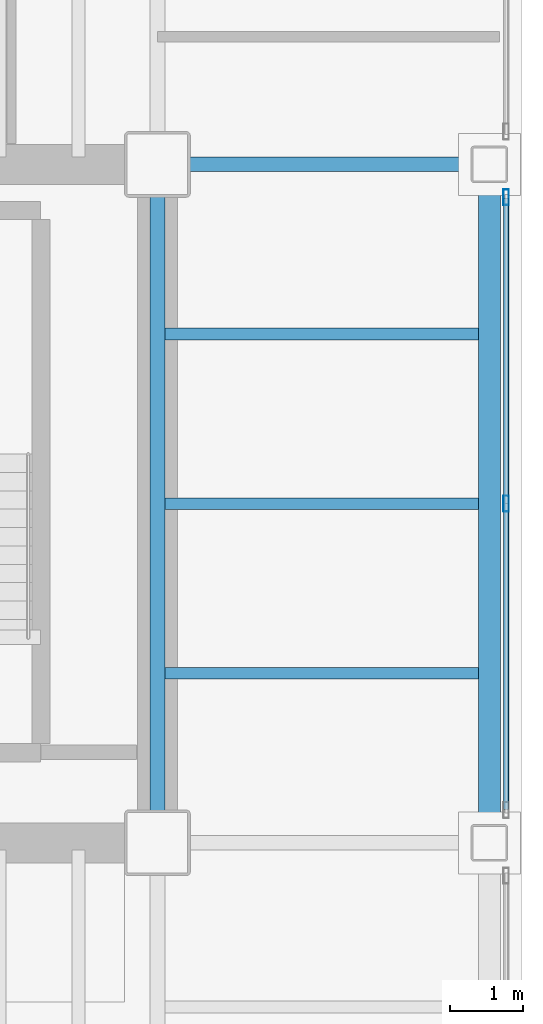
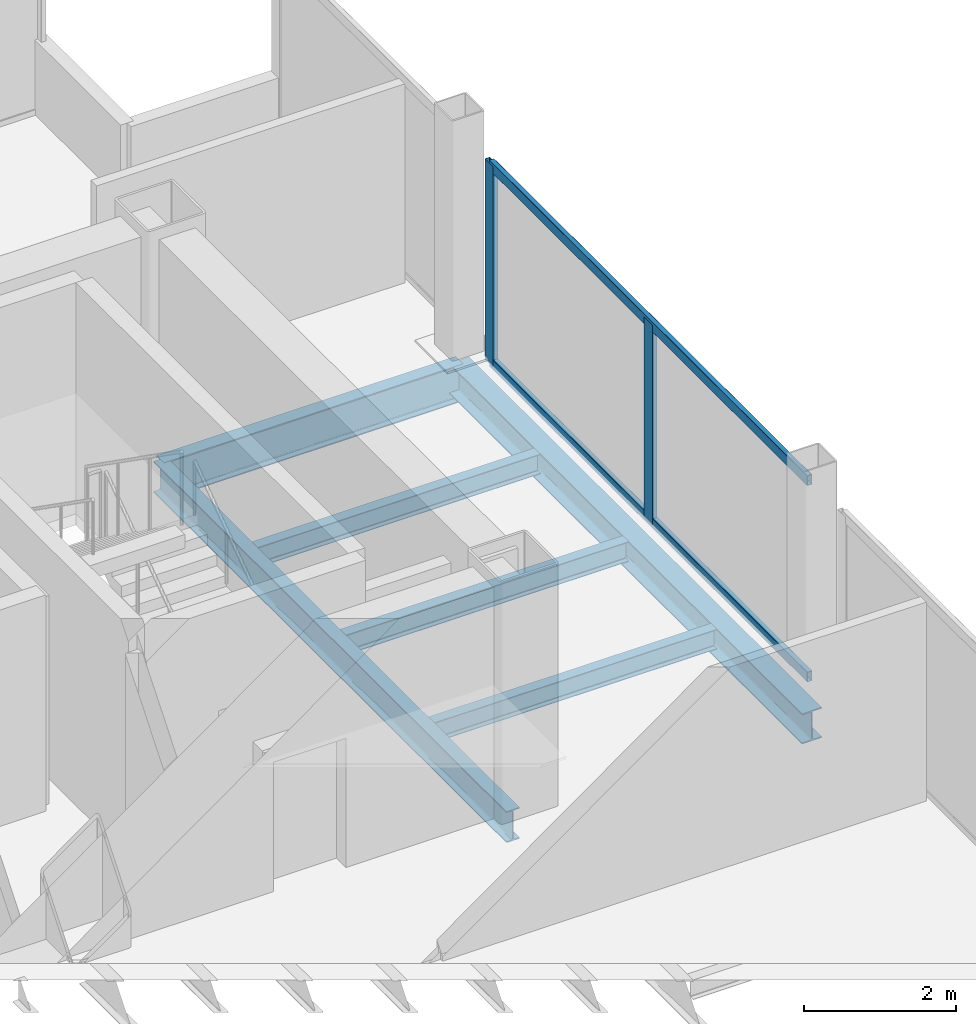
# One storey, part 13 of 19: 6 beams, 4 members, 1 element without a shape of its own.
"""IFC4 building model written with IfcOpenShell, lengths in metres."""

from ifc_helpers import new_model, si_unit, direction, frame, origin, origin_2d, place, context, subcontext, project, spatial, hollow_rectangle, i_section, extrude, material, material_profile, profile_set, type_object, element, aggregate, save


model = new_model("IFC4")

# Units and contexts
model_context = context("Model", 3, precision=1e-05, world=origin(), true_north=direction((0.0, 1.0)))
body_context = subcontext(model_context, "Body", "Model", "MODEL_VIEW")
ifc_project = project(units=[si_unit("LENGTHUNIT", "METRE"), si_unit("AREAUNIT", "SQUARE_METRE"), si_unit("VOLUMEUNIT", "CUBIC_METRE"), si_unit("PLANEANGLEUNIT", "RADIAN"), si_unit("MASSUNIT", "GRAM", prefix="KILO")], contexts=[model_context])

# Site, building, storey
site_placement = place(None, origin())
site = spatial("IfcSite", under=ifc_project, at=site_placement, CompositionType="ELEMENT")
building_placement = place(site_placement, origin())
building = spatial("IfcBuilding", under=site, at=building_placement, Name="Noeulbin Bourse Tower", CompositionType="ELEMENT")
storey_placement = place(building_placement, frame((0.0, 0.0, 157.800048828125)))
storey = spatial("IfcBuildingStorey", under=building, at=storey_placement, Name="L39", CompositionType="ELEMENT", Elevation=157.800048828125)

# Beams
ifc_material_1 = material(Name="Steel S355", Category="steel")
ifc_material_profile_1 = material_profile(ifc_material_1, i_section(OverallWidth=0.199951171875, OverallDepth=0.5, WebThickness=0.010009765625, FlangeThickness=0.01611328125, FilletRadius=0.02001953125, at=origin_2d()), Name="H-500x200x10x16", Category="LoadBearing")
ifc_profile_set_1 = profile_set([ifc_material_profile_1], Name="Steel S355")
beam_type_1 = type_object("IfcBeamType", Name="BM-GRD-500", PredefinedType="USERDEFINED", material=ifc_profile_set_1)
beam_1_placement = place(storey_placement, frame((44.0, 29.0, -0.429931640625), z_axis=(0.0, 1.0, 0.0), x_axis=(-1.0, 0.0, 0.0)))
element("IfcBeam", 1, at=beam_1_placement, inside=storey, type_object=beam_type_1, Name="Tower Primary Girder NS L39-5.3", ObjectType="GIRDER", PredefinedType="USERDEFINED", context=body_context, shape_type="SweptSolid", body=[
    extrude(i_section(OverallWidth=0.199951171875, OverallDepth=0.5, WebThickness=0.010009765625, FlangeThickness=0.01611328125, FilletRadius=0.02001953125, at=origin_2d()), origin(), (0.0, 0.0, 1.0), 9.300048828125),
])
ifc_material_profile_2 = material_profile(ifc_material_1, i_section(OverallWidth=0.199951171875, OverallDepth=0.60009765625, WebThickness=0.010986328125, FlangeThickness=0.01708984375, FilletRadius=0.02197265625, at=origin_2d()), Name="H-600x200x11x17", Category="LoadBearing")
ifc_profile_set_2 = profile_set([ifc_material_profile_2], Name="Steel S355")
beam_type_2 = type_object("IfcBeamType", Name="BM-GRD-600", PredefinedType="USERDEFINED", material=ifc_profile_set_2)
beam_2_placement = place(storey_placement, frame((44.0, 38.300048828125, -0.47998046875), z_axis=(1.0, 0.0, 0.0), x_axis=(0.0, 1.0, 0.0)))
element("IfcBeam", 2, at=beam_2_placement, inside=storey, type_object=beam_type_2, Name="Tower Primary Girder EW L39-3.5", ObjectType="GIRDER", PredefinedType="USERDEFINED", context=body_context, shape_type="SweptSolid", body=[
    extrude(i_section(OverallWidth=0.199951171875, OverallDepth=0.60009765625, WebThickness=0.010986328125, FlangeThickness=0.01708984375, FilletRadius=0.02197265625, at=origin_2d()), origin(), (0.0, 0.0, 1.0), 4.550048828125),
])
ifc_material_profile_3 = material_profile(ifc_material_1, i_section(OverallWidth=0.159912109375, OverallDepth=0.320068359375, WebThickness=0.006591796875, FlangeThickness=0.010009765625, FilletRadius=0.012939453125, at=origin_2d()), Name="H-320x160x6.5x10", Category="LoadBearing")
ifc_profile_set_3 = profile_set([ifc_material_profile_3], Name="Steel S355")
beam_type_3 = type_object("IfcBeamType", Name="BM-JST-320", PredefinedType="JOIST", material=ifc_profile_set_3)
for number, where, z_axis, x_axis, name in (
    (3, (44.10009765625, 31.324951171875, -0.340087890625), (1.0, 0.0, 0.0), (0.0, 1.0, 0.0), "Wing Composite Joist L39-E76"),
    (4, (44.10009765625, 33.64990234375, -0.340087890625), (1.0, 0.0, 0.0), (0.0, 1.0, 0.0), "Wing Composite Joist L39-E77"),
    (5, (44.10009765625, 35.97509765625, -0.340087890625), (1.0, 0.0, 0.0), (0.0, 1.0, 0.0), "Wing Composite Joist L39-E78"),
):
    element("IfcBeam", number, at=place(storey_placement, frame(where, z_axis=z_axis, x_axis=x_axis)), inside=storey, type_object=beam_type_3, Name=name, PredefinedType="JOIST", context=body_context, shape_type="SweptSolid", body=[
        extrude(i_section(OverallWidth=0.159912109375, OverallDepth=0.320068359375, WebThickness=0.006591796875, FlangeThickness=0.010009765625, FilletRadius=0.012939453125, at=origin_2d()), origin(), (0.0, 0.0, 1.0), 4.2998046875),
    ])
ifc_material_profile_4 = material_profile(ifc_material_1, i_section(OverallWidth=0.300048828125, OverallDepth=0.488037109375, WebThickness=0.010986328125, FlangeThickness=0.01806640625, FilletRadius=0.02197265625, at=origin_2d()), Name="H-488x300x11x18", Category="LoadBearing")
ifc_profile_set_4 = profile_set([ifc_material_profile_4], Name="Steel S355")
beam_type_4 = type_object("IfcBeamType", Name="BM-SPN-488", PredefinedType="SPANDREL", material=ifc_profile_set_4)
beam_3_placement = place(storey_placement, frame((48.550048828125, 29.0, -0.424072265625), z_axis=(0.0, 1.0, 0.0), x_axis=(-1.0, 0.0, 0.0)))
element("IfcBeam", 6, at=beam_3_placement, inside=storey, type_object=beam_type_4, Name="East Spandrel L39-2", PredefinedType="SPANDREL", context=body_context, shape_type="SweptSolid", body=[
    extrude(i_section(OverallWidth=0.300048828125, OverallDepth=0.488037109375, WebThickness=0.010986328125, FlangeThickness=0.01806640625, FilletRadius=0.02197265625, at=origin_2d()), origin(), (0.0, 0.0, 1.0), 9.300048828125),
])

# Curtain wall, members
ifc_material_2 = material(Name="Dark Tinted Triple Glazing", Category="glass")
curtain_wall_type = type_object("IfcCurtainWallType", Name="CW-SYS-3", PredefinedType="NOTDEFINED", material=ifc_material_2)
curtain_wall_placement = place(storey_placement, origin())
curtain_wall = element("IfcCurtainWall", 7, at=curtain_wall_placement, inside=storey, type_object=curtain_wall_type, Name="Unitised Curtain Wall CW-L39-E-S2", PredefinedType="NOTDEFINED")
ifc_material_3 = material(Name="Anodised Aluminium 6063-T6", Category="aluminium")
ifc_material_profile_5 = material_profile(ifc_material_3, hollow_rectangle(XDim=0.074951171875, YDim=0.219970703125, WallThickness=0.0048828125, InnerFilletRadius=0.00244140625, OuterFilletRadius=0.0048828125, at=origin_2d()), Name="ALU-MULL-75x220x5", Category="LoadBearing")
ifc_profile_set_5 = profile_set([ifc_material_profile_5], Name="Anodised Aluminium 6063-T6")
member_type_1 = type_object("IfcMemberType", Name="CW-SYS-3-MUL", PredefinedType="MULLION", material=ifc_profile_set_5)
member_1_placement = place(storey_placement, frame((48.780029296875, 33.64990234375, -0.02001953125), z_axis=(0.0, 0.0, 1.0), x_axis=(1.0, 0.0, 0.0)))
member_1 = element("IfcMember", 8, at=member_1_placement, type_object=member_type_1, Name="Curtain Wall Mullion CW-L39-E-S2-M01", PredefinedType="MULLION", context=body_context, shape_type="SweptSolid", body=[
    extrude(hollow_rectangle(XDim=0.074951171875, YDim=0.219970703125, WallThickness=0.0048828125, InnerFilletRadius=0.00244140625, OuterFilletRadius=0.0048828125, at=origin_2d()), origin(), (0.0, 0.0, 1.0), 3.219970703125),
])
member_2_placement = place(storey_placement, frame((48.780029296875, 37.85009765625, -0.02001953125), z_axis=(0.0, 0.0, 1.0), x_axis=(1.0, 0.0, 0.0)))
member_2 = element("IfcMember", 9, at=member_2_placement, type_object=member_type_1, Name="Curtain Wall Mullion CW-L39-E-S2-M02", PredefinedType="MULLION", context=body_context, shape_type="SweptSolid", body=[
    extrude(hollow_rectangle(XDim=0.074951171875, YDim=0.219970703125, WallThickness=0.0048828125, InnerFilletRadius=0.00244140625, OuterFilletRadius=0.0048828125, at=origin_2d()), origin(), (0.0, 0.0, 1.0), 3.219970703125),
])
ifc_material_profile_6 = material_profile(ifc_material_3, hollow_rectangle(XDim=0.074951171875, YDim=0.159912109375, WallThickness=0.0048828125, InnerFilletRadius=0.00244140625, OuterFilletRadius=0.0048828125, at=origin_2d()), Name="ALU-TRAN-75x160x5", Category="LoadBearing")
ifc_profile_set_6 = profile_set([ifc_material_profile_6], Name="Anodised Aluminium 6063-T6")
member_type_2 = type_object("IfcMemberType", Name="CW-SYS-3-TRN", PredefinedType="USERDEFINED", material=ifc_profile_set_6)
member_3_placement = place(storey_placement, frame((48.780029296875, 29.4599609375, 0.010009765625), z_axis=(0.0, 1.0, 0.0), x_axis=(-1.0, 0.0, 0.0)))
member_3 = element("IfcMember", 10, at=member_3_placement, type_object=member_type_2, Name="Curtain Wall Transom CW-L39-E-S2-T00", ObjectType="TRANSOM", PredefinedType="USERDEFINED", context=body_context, shape_type="SweptSolid", body=[
    extrude(hollow_rectangle(XDim=0.074951171875, YDim=0.159912109375, WallThickness=0.0048828125, InnerFilletRadius=0.00244140625, OuterFilletRadius=0.0048828125, at=origin_2d()), origin(), (0.0, 0.0, 1.0), 8.380126953125),
])
member_4_placement = place(storey_placement, frame((48.780029296875, 29.4599609375, 3.169921875), z_axis=(0.0, 1.0, 0.0), x_axis=(-1.0, 0.0, 0.0)))
member_4 = element("IfcMember", 11, at=member_4_placement, type_object=member_type_2, Name="Curtain Wall Transom CW-L39-E-S2-T01", ObjectType="TRANSOM", PredefinedType="USERDEFINED", context=body_context, shape_type="SweptSolid", body=[
    extrude(hollow_rectangle(XDim=0.074951171875, YDim=0.159912109375, WallThickness=0.0048828125, InnerFilletRadius=0.00244140625, OuterFilletRadius=0.0048828125, at=origin_2d()), origin(), (0.0, 0.0, 1.0), 8.380126953125),
])
aggregate(curtain_wall, [member_1, member_2, member_3, member_4])

save(model, "model.ifc")
